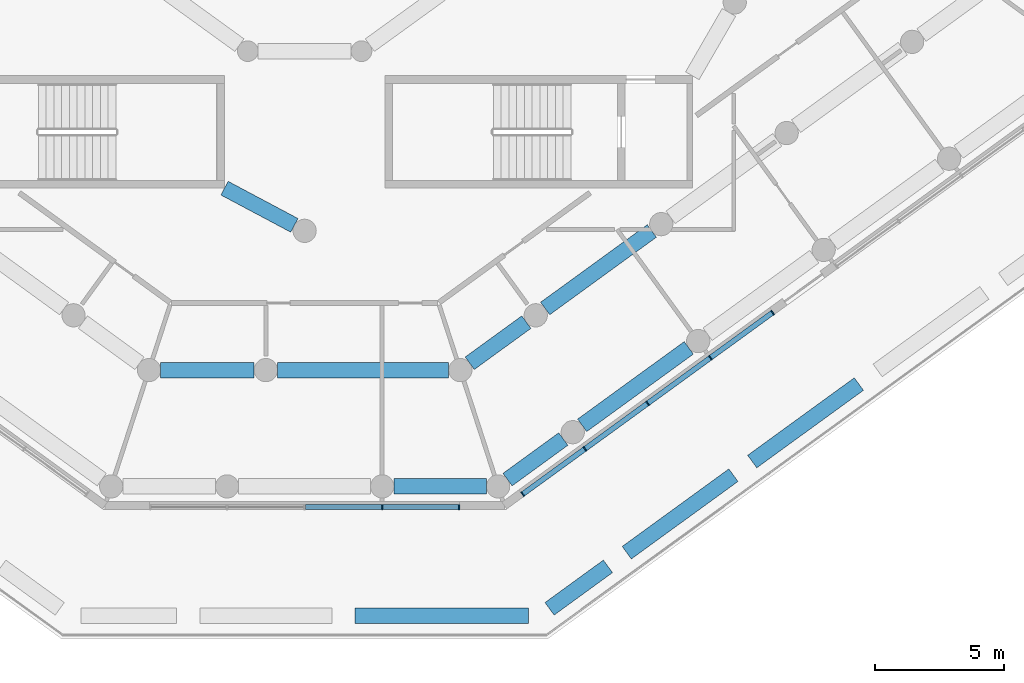
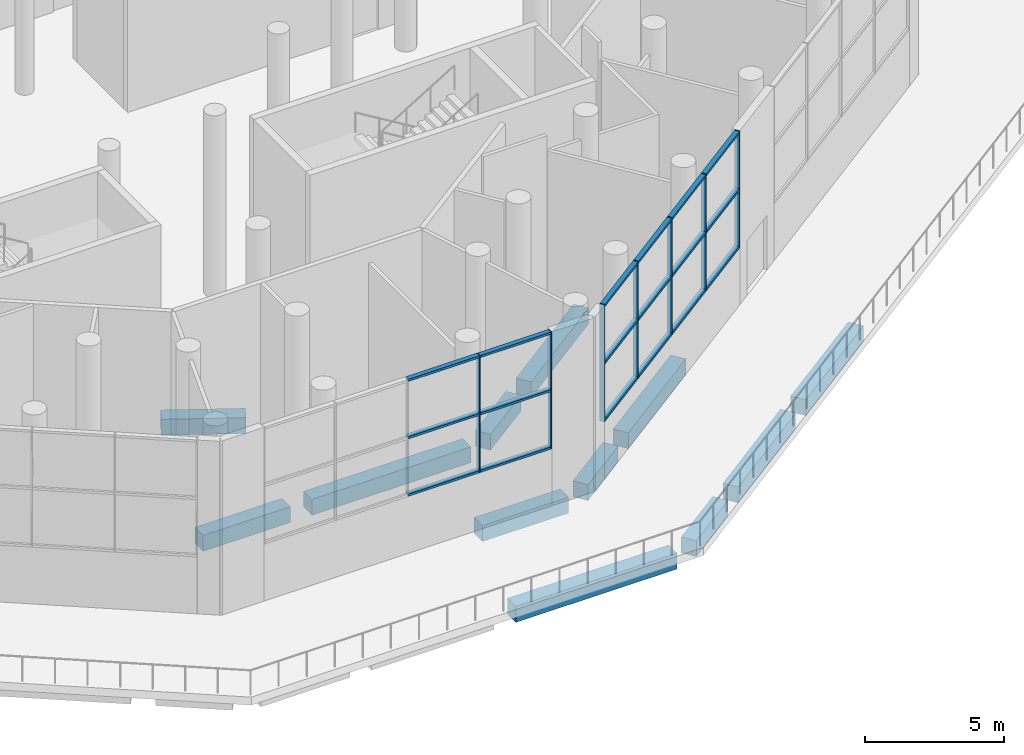
# One storey, part 5 of 23: 25 members, 12 beams, 2 elements without a shape of their own.
"""IFC4 building model written with IfcOpenShell, lengths in metres."""

from ifc_helpers import new_model, si_unit, direction, frame, origin, origin_2d, place, context, subcontext, project, spatial, rectangle, extrude, material, material_profile, profile_set, type_object, element, aggregate, save


model = new_model("IFC4")

# Units and contexts
model_context = context("Model", 3, precision=1e-05, world=origin(), true_north=direction((0.0, 1.0)))
body_context = subcontext(model_context, "Body", "Model", "MODEL_VIEW")
ifc_project = project(units=[si_unit("LENGTHUNIT", "METRE"), si_unit("AREAUNIT", "SQUARE_METRE"), si_unit("VOLUMEUNIT", "CUBIC_METRE"), si_unit("PLANEANGLEUNIT", "RADIAN"), si_unit("MASSUNIT", "GRAM", prefix="KILO")], contexts=[model_context])

# Site, building, storey
site_placement = place(None, origin())
site = spatial("IfcSite", under=ifc_project, at=site_placement, CompositionType="ELEMENT")
building_placement = place(site_placement, origin())
building = spatial("IfcBuilding", under=site, at=building_placement, Name="White Candle Pilgrim Tower", CompositionType="ELEMENT")
storey_placement = place(building_placement, frame((0.0, 0.0, 15.0)))
storey = spatial("IfcBuildingStorey", under=building, at=storey_placement, Name="L02", CompositionType="ELEMENT", Elevation=15.0)

# Curtain wall, members
ifc_material_1 = material(Name="Aluminium and glass", Category="aluminium")
curtain_wall_type = type_object("IfcCurtainWallType", Name="Curtain wall CW2 prayer hall clerestory", PredefinedType="NOTDEFINED", material=ifc_material_1)
curtain_wall_1_placement = place(storey_placement, origin())
curtain_wall_1 = element("IfcCurtainWall", 1, at=curtain_wall_1_placement, inside=storey, type_object=curtain_wall_type, Name="Curtain wall CW2 L02 S chamfer", PredefinedType="NOTDEFINED")
ifc_material_2 = material(Name="Aluminium", Category="aluminium")
ifc_material_profile_1 = material_profile(ifc_material_2, rectangle(XDim=0.199951171875, YDim=0.050048828125, at=origin_2d()), Name="CW2 mullion 50x200")
ifc_profile_set_1 = profile_set([ifc_material_profile_1], Name="Aluminium")
member_type_1 = type_object("IfcMemberType", Name="CW2 mullion 50x200", PredefinedType="MULLION", material=ifc_profile_set_1)
member_1_placement = place(storey_placement, frame((73.0, 28.961181640625, 2.5), z_axis=(0.0, 0.0, 1.0), x_axis=(0.0, 1.0, 0.0)))
member_1 = element("IfcMember", 2, at=member_1_placement, type_object=member_type_1, Name="CW2 mullion 4", PredefinedType="MULLION", context=body_context, shape_type="SweptSolid", body=[
    extrude(rectangle(XDim=0.199951171875, YDim=0.050048828125, at=origin_2d()), origin(), (0.0, 0.0, 1.0), 5.14990234375),
])
member_2_placement = place(storey_placement, frame((75.97509765625, 28.961181640625, 2.5), z_axis=(0.0, 0.0, 1.0), x_axis=(0.0, 1.0, 0.0)))
member_2 = element("IfcMember", 3, at=member_2_placement, type_object=member_type_1, Name="CW2 mullion 5", PredefinedType="MULLION", context=body_context, shape_type="SweptSolid", body=[
    extrude(rectangle(XDim=0.199951171875, YDim=0.050048828125, at=origin_2d()), origin(), (0.0, 0.0, 1.0), 5.14990234375),
])

curtain_wall_2_placement = place(storey_placement, origin())
curtain_wall_2 = element("IfcCurtainWall", 4, at=curtain_wall_2_placement, inside=storey, type_object=curtain_wall_type, Name="Curtain wall CW2 L02 SE", PredefinedType="NOTDEFINED")
member_3_placement = place(storey_placement, frame((78.4365234375, 29.462890625, 2.5), z_axis=(0.0, 0.0, 1.0), x_axis=(-0.587785249398, 0.809016996478, 0.0)))
member_3 = element("IfcMember", 5, at=member_3_placement, type_object=member_type_1, Name="CW2 mullion 1", PredefinedType="MULLION", context=body_context, shape_type="SweptSolid", body=[
    extrude(rectangle(XDim=0.199951171875, YDim=0.050048828125, at=origin_2d()), origin(), (0.0, 0.0, 1.0), 5.14990234375),
])
member_4_placement = place(storey_placement, frame((80.843505859375, 31.211669921875, 2.5), z_axis=(0.0, 0.0, 1.0), x_axis=(-0.587785249398, 0.809016996478, 0.0)))
member_4 = element("IfcMember", 6, at=member_4_placement, type_object=member_type_1, Name="CW2 mullion 2", PredefinedType="MULLION", context=body_context, shape_type="SweptSolid", body=[
    extrude(rectangle(XDim=0.199951171875, YDim=0.050048828125, at=origin_2d()), origin(), (0.0, 0.0, 1.0), 5.14990234375),
])
member_5_placement = place(storey_placement, frame((83.2705078125, 32.974853515625, 2.5), z_axis=(0.0, 0.0, 1.0), x_axis=(-0.587785249398, 0.809016996478, 0.0)))
member_5 = element("IfcMember", 7, at=member_5_placement, type_object=member_type_1, Name="CW2 mullion 3", PredefinedType="MULLION", context=body_context, shape_type="SweptSolid", body=[
    extrude(rectangle(XDim=0.199951171875, YDim=0.050048828125, at=origin_2d()), origin(), (0.0, 0.0, 1.0), 5.14990234375),
])
member_6_placement = place(storey_placement, frame((85.697509765625, 34.73828125, 2.5), z_axis=(0.0, 0.0, 1.0), x_axis=(-0.587785249398, 0.809016996478, 0.0)))
member_6 = element("IfcMember", 8, at=member_6_placement, type_object=member_type_1, Name="CW2 mullion 4", PredefinedType="MULLION", context=body_context, shape_type="SweptSolid", body=[
    extrude(rectangle(XDim=0.199951171875, YDim=0.050048828125, at=origin_2d()), origin(), (0.0, 0.0, 1.0), 5.14990234375),
])
member_7_placement = place(storey_placement, frame((88.1044921875, 36.487060546875, 2.5), z_axis=(0.0, 0.0, 1.0), x_axis=(-0.587785249398, 0.809016996478, 0.0)))
member_7 = element("IfcMember", 9, at=member_7_placement, type_object=member_type_1, Name="CW2 mullion 5", PredefinedType="MULLION", context=body_context, shape_type="SweptSolid", body=[
    extrude(rectangle(XDim=0.199951171875, YDim=0.050048828125, at=origin_2d()), origin(), (0.0, 0.0, 1.0), 5.14990234375),
])

# Member
ifc_material_profile_2 = material_profile(ifc_material_2, rectangle(XDim=0.199951171875, YDim=0.10009765625, at=origin_2d()), Name="CW2 transom 100x200")
ifc_profile_set_2 = profile_set([ifc_material_profile_2], Name="Aluminium")
member_type_2 = type_object("IfcMemberType", Name="CW2 transom 100x200", PredefinedType="USERDEFINED", material=ifc_profile_set_2)
member_8_placement = place(storey_placement, frame((70.02490234375, 28.961181640625, 2.550048828125), z_axis=(1.0, 0.0, 0.0), x_axis=(0.0, 1.0, 0.0)))
member_8 = element("IfcMember", 10, at=member_8_placement, type_object=member_type_2, Name="CW2 transom 3.1", ObjectType="TRANSOM", PredefinedType="USERDEFINED", context=body_context, shape_type="SweptSolid", body=[
    extrude(rectangle(XDim=0.199951171875, YDim=0.10009765625, at=origin_2d()), origin(), (0.0, 0.0, 1.0), 2.9501953125),
])

member_9_placement = place(storey_placement, frame((70.02490234375, 28.961181640625, 5.074951171875), z_axis=(1.0, 0.0, 0.0), x_axis=(0.0, 1.0, 0.0)))
member_9 = element("IfcMember", 11, at=member_9_placement, type_object=member_type_2, Name="CW2 transom 3.2", ObjectType="TRANSOM", PredefinedType="USERDEFINED", context=body_context, shape_type="SweptSolid", body=[
    extrude(rectangle(XDim=0.199951171875, YDim=0.10009765625, at=origin_2d()), origin(), (0.0, 0.0, 1.0), 2.9501953125),
])

member_10_placement = place(storey_placement, frame((70.02490234375, 28.961181640625, 7.60009765625), z_axis=(1.0, 0.0, 0.0), x_axis=(0.0, 1.0, 0.0)))
member_10 = element("IfcMember", 12, at=member_10_placement, type_object=member_type_2, Name="CW2 transom 3.3", ObjectType="TRANSOM", PredefinedType="USERDEFINED", context=body_context, shape_type="SweptSolid", body=[
    extrude(rectangle(XDim=0.199951171875, YDim=0.10009765625, at=origin_2d()), origin(), (0.0, 0.0, 1.0), 2.9501953125),
])

member_11_placement = place(storey_placement, frame((73.02490234375, 28.961181640625, 2.550048828125), z_axis=(1.0, 0.0, 0.0), x_axis=(0.0, 1.0, 0.0)))
member_11 = element("IfcMember", 13, at=member_11_placement, type_object=member_type_2, Name="CW2 transom 4.1", ObjectType="TRANSOM", PredefinedType="USERDEFINED", context=body_context, shape_type="SweptSolid", body=[
    extrude(rectangle(XDim=0.199951171875, YDim=0.10009765625, at=origin_2d()), origin(), (0.0, 0.0, 1.0), 2.925048828125),
])

member_12_placement = place(storey_placement, frame((73.02490234375, 28.961181640625, 5.074951171875), z_axis=(1.0, 0.0, 0.0), x_axis=(0.0, 1.0, 0.0)))
member_12 = element("IfcMember", 14, at=member_12_placement, type_object=member_type_2, Name="CW2 transom 4.2", ObjectType="TRANSOM", PredefinedType="USERDEFINED", context=body_context, shape_type="SweptSolid", body=[
    extrude(rectangle(XDim=0.199951171875, YDim=0.10009765625, at=origin_2d()), origin(), (0.0, 0.0, 1.0), 2.925048828125),
])

member_13_placement = place(storey_placement, frame((73.02490234375, 28.961181640625, 7.60009765625), z_axis=(1.0, 0.0, 0.0), x_axis=(0.0, 1.0, 0.0)))
member_13 = element("IfcMember", 15, at=member_13_placement, type_object=member_type_2, Name="CW2 transom 4.3", ObjectType="TRANSOM", PredefinedType="USERDEFINED", context=body_context, shape_type="SweptSolid", body=[
    extrude(rectangle(XDim=0.199951171875, YDim=0.10009765625, at=origin_2d()), origin(), (0.0, 0.0, 1.0), 2.925048828125),
])

aggregate(curtain_wall_1, [member_1, member_2, member_8, member_9, member_10, member_11, member_12, member_13])

member_14_placement = place(storey_placement, frame((78.456787109375, 29.4775390625, 2.550048828125), z_axis=(0.808992256893, 0.587819299009, 0.0), x_axis=(-0.587819299009, 0.808992256893, 0.0)))
member_14 = element("IfcMember", 16, at=member_14_placement, type_object=member_type_2, Name="CW2 transom 1.1", ObjectType="TRANSOM", PredefinedType="USERDEFINED", context=body_context, shape_type="SweptSolid", body=[
    extrude(rectangle(XDim=0.199951171875, YDim=0.10009765625, at=origin_2d()), origin(), (0.0, 0.0, 1.0), 2.92529296875),
])

member_15_placement = place(storey_placement, frame((78.456787109375, 29.4775390625, 5.074951171875), z_axis=(0.808992256893, 0.587819299009, 0.0), x_axis=(-0.587819299009, 0.808992256893, 0.0)))
member_15 = element("IfcMember", 17, at=member_15_placement, type_object=member_type_2, Name="CW2 transom 1.2", ObjectType="TRANSOM", PredefinedType="USERDEFINED", context=body_context, shape_type="SweptSolid", body=[
    extrude(rectangle(XDim=0.199951171875, YDim=0.10009765625, at=origin_2d()), origin(), (0.0, 0.0, 1.0), 2.92529296875),
])

member_16_placement = place(storey_placement, frame((78.456787109375, 29.4775390625, 7.60009765625), z_axis=(0.808992256893, 0.587819299009, 0.0), x_axis=(-0.587819299009, 0.808992256893, 0.0)))
member_16 = element("IfcMember", 18, at=member_16_placement, type_object=member_type_2, Name="CW2 transom 1.3", ObjectType="TRANSOM", PredefinedType="USERDEFINED", context=body_context, shape_type="SweptSolid", body=[
    extrude(rectangle(XDim=0.199951171875, YDim=0.10009765625, at=origin_2d()), origin(), (0.0, 0.0, 1.0), 2.92529296875),
])

member_17_placement = place(storey_placement, frame((80.86376953125, 31.226318359375, 2.550048828125), z_axis=(0.809015152931, 0.587787786815, 0.0), x_axis=(-0.587787786815, 0.809015152931, 0.0)))
member_17 = element("IfcMember", 19, at=member_17_placement, type_object=member_type_2, Name="CW2 transom 2.1", ObjectType="TRANSOM", PredefinedType="USERDEFINED", context=body_context, shape_type="SweptSolid", body=[
    extrude(rectangle(XDim=0.199951171875, YDim=0.10009765625, at=origin_2d()), origin(), (0.0, 0.0, 1.0), 2.949951171875),
])

member_18_placement = place(storey_placement, frame((80.86376953125, 31.226318359375, 5.074951171875), z_axis=(0.809015152931, 0.587787786815, 0.0), x_axis=(-0.587787786815, 0.809015152931, 0.0)))
member_18 = element("IfcMember", 20, at=member_18_placement, type_object=member_type_2, Name="CW2 transom 2.2", ObjectType="TRANSOM", PredefinedType="USERDEFINED", context=body_context, shape_type="SweptSolid", body=[
    extrude(rectangle(XDim=0.199951171875, YDim=0.10009765625, at=origin_2d()), origin(), (0.0, 0.0, 1.0), 2.949951171875),
])

member_19_placement = place(storey_placement, frame((80.86376953125, 31.226318359375, 7.60009765625), z_axis=(0.809015152931, 0.587787786815, 0.0), x_axis=(-0.587787786815, 0.809015152931, 0.0)))
member_19 = element("IfcMember", 21, at=member_19_placement, type_object=member_type_2, Name="CW2 transom 2.3", ObjectType="TRANSOM", PredefinedType="USERDEFINED", context=body_context, shape_type="SweptSolid", body=[
    extrude(rectangle(XDim=0.199951171875, YDim=0.10009765625, at=origin_2d()), origin(), (0.0, 0.0, 1.0), 2.949951171875),
])

member_20_placement = place(storey_placement, frame((83.290771484375, 32.98974609375, 2.550048828125), z_axis=(0.809015152931, 0.587787786815, 0.0), x_axis=(-0.587787786815, 0.809015152931, 0.0)))
member_20 = element("IfcMember", 22, at=member_20_placement, type_object=member_type_2, Name="CW2 transom 3.1", ObjectType="TRANSOM", PredefinedType="USERDEFINED", context=body_context, shape_type="SweptSolid", body=[
    extrude(rectangle(XDim=0.199951171875, YDim=0.10009765625, at=origin_2d()), origin(), (0.0, 0.0, 1.0), 2.949951171875),
])

member_21_placement = place(storey_placement, frame((83.290771484375, 32.98974609375, 5.074951171875), z_axis=(0.809015152931, 0.587787786815, 0.0), x_axis=(-0.587787786815, 0.809015152931, 0.0)))
member_21 = element("IfcMember", 23, at=member_21_placement, type_object=member_type_2, Name="CW2 transom 3.2", ObjectType="TRANSOM", PredefinedType="USERDEFINED", context=body_context, shape_type="SweptSolid", body=[
    extrude(rectangle(XDim=0.199951171875, YDim=0.10009765625, at=origin_2d()), origin(), (0.0, 0.0, 1.0), 2.949951171875),
])

member_22_placement = place(storey_placement, frame((83.290771484375, 32.98974609375, 7.60009765625), z_axis=(0.809015152931, 0.587787786815, 0.0), x_axis=(-0.587787786815, 0.809015152931, 0.0)))
member_22 = element("IfcMember", 24, at=member_22_placement, type_object=member_type_2, Name="CW2 transom 3.3", ObjectType="TRANSOM", PredefinedType="USERDEFINED", context=body_context, shape_type="SweptSolid", body=[
    extrude(rectangle(XDim=0.199951171875, YDim=0.10009765625, at=origin_2d()), origin(), (0.0, 0.0, 1.0), 2.949951171875),
])

member_23_placement = place(storey_placement, frame((85.7177734375, 34.7529296875, 2.550048828125), z_axis=(0.80903194638, 0.587764672073, 0.0), x_axis=(-0.587764672073, 0.80903194638, 0.0)))
member_23 = element("IfcMember", 25, at=member_23_placement, type_object=member_type_2, Name="CW2 transom 4.1", ObjectType="TRANSOM", PredefinedType="USERDEFINED", context=body_context, shape_type="SweptSolid", body=[
    extrude(rectangle(XDim=0.199951171875, YDim=0.10009765625, at=origin_2d()), origin(), (0.0, 0.0, 1.0), 2.925048828125),
])

member_24_placement = place(storey_placement, frame((85.7177734375, 34.7529296875, 5.074951171875), z_axis=(0.80903194638, 0.587764672073, 0.0), x_axis=(-0.587764672073, 0.80903194638, 0.0)))
member_24 = element("IfcMember", 26, at=member_24_placement, type_object=member_type_2, Name="CW2 transom 4.2", ObjectType="TRANSOM", PredefinedType="USERDEFINED", context=body_context, shape_type="SweptSolid", body=[
    extrude(rectangle(XDim=0.199951171875, YDim=0.10009765625, at=origin_2d()), origin(), (0.0, 0.0, 1.0), 2.925048828125),
])

member_25_placement = place(storey_placement, frame((85.7177734375, 34.7529296875, 7.60009765625), z_axis=(0.80903194638, 0.587764672073, 0.0), x_axis=(-0.587764672073, 0.80903194638, 0.0)))
member_25 = element("IfcMember", 27, at=member_25_placement, type_object=member_type_2, Name="CW2 transom 4.3", ObjectType="TRANSOM", PredefinedType="USERDEFINED", context=body_context, shape_type="SweptSolid", body=[
    extrude(rectangle(XDim=0.199951171875, YDim=0.10009765625, at=origin_2d()), origin(), (0.0, 0.0, 1.0), 2.925048828125),
])

aggregate(curtain_wall_2, [member_3, member_4, member_5, member_6, member_7, member_14, member_15, member_16, member_17, member_18, member_19, member_20, member_21, member_22, member_23, member_24, member_25])

# Beams
ifc_material_3 = material(Name="Concrete C50/60", Category="concrete")
ifc_material_profile_3 = material_profile(ifc_material_3, rectangle(XDim=0.60009765625, YDim=0.699951171875, at=origin_2d()), Name="RC-BM 600x700")
ifc_profile_set_3 = profile_set([ifc_material_profile_3], Name="Concrete C50/60")
beam_type = type_object("IfcBeamType", Name="Spandrel beam RC-BM 600x700 C50/60", PredefinedType="BEAM", material=ifc_profile_set_3)
beam_1_placement = place(storey_placement, frame((69.60302734375, 39.861328125, -0.699951171875), z_axis=(-0.882752092562, 0.469839060826, 0.0), x_axis=(-0.469839060826, -0.882752092562, 0.0)))
element("IfcBeam", 28, at=beam_1_placement, inside=storey, type_object=beam_type, Name="L02 spandrel beam T04", PredefinedType="BEAM", context=body_context, shape_type="SweptSolid", body=[
    extrude(rectangle(XDim=0.60009765625, YDim=0.699951171875, at=origin_2d()), origin(), (0.0, 0.0, 1.0), 3.062255859375),
])
beam_2_placement = place(storey_placement, frame((71.949951171875, 24.760986328125, -0.699951171875), z_axis=(1.0, 0.0, 0.0), x_axis=(0.0, 1.0, 0.0)))
element("IfcBeam", 29, at=beam_2_placement, inside=storey, type_object=beam_type, Name="L02 spandrel beam A12", PredefinedType="BEAM", context=body_context, shape_type="SweptSolid", body=[
    extrude(rectangle(XDim=0.60009765625, YDim=0.699951171875, at=origin_2d()), origin(), (0.0, 0.0, 1.0), 6.7109375),
])
beam_3_placement = place(storey_placement, frame((79.474853515625, 25.025390625, -0.699951171875), z_axis=(0.809030737429, 0.587766336136, 0.0), x_axis=(-0.587766336136, 0.809030737429, 0.0)))
element("IfcBeam", 30, at=beam_3_placement, inside=storey, type_object=beam_type, Name="L02 spandrel beam A13", PredefinedType="BEAM", context=body_context, shape_type="SweptSolid", body=[
    extrude(rectangle(XDim=0.60009765625, YDim=0.699951171875, at=origin_2d()), origin(), (0.0, 0.0, 1.0), 2.793701171875),
])
beam_4_placement = place(storey_placement, frame((82.462890625, 27.1962890625, -0.699951171875), z_axis=(0.808978190317, 0.587838657789, 0.0), x_axis=(-0.587838657789, 0.808978190317, 0.0)))
element("IfcBeam", 31, at=beam_4_placement, inside=storey, type_object=beam_type, Name="L02 spandrel beam A14", PredefinedType="BEAM", context=body_context, shape_type="SweptSolid", body=[
    extrude(rectangle(XDim=0.60009765625, YDim=0.699951171875, at=origin_2d()), origin(), (0.0, 0.0, 1.0), 5.1005859375),
])
beam_5_placement = place(storey_placement, frame((87.31689453125, 30.723388671875, -0.699951171875), z_axis=(0.809069240735, 0.587713334625, 0.0), x_axis=(-0.587713334625, 0.809069240735, 0.0)))
element("IfcBeam", 32, at=beam_5_placement, inside=storey, type_object=beam_type, Name="L02 spandrel beam A15", PredefinedType="BEAM", context=body_context, shape_type="SweptSolid", body=[
    extrude(rectangle(XDim=0.60009765625, YDim=0.699951171875, at=origin_2d()), origin(), (0.0, 0.0, 1.0), 5.099853515625),
])
beam_6_placement = place(storey_placement, frame((73.449951171875, 29.760986328125, -0.699951171875), z_axis=(1.0, 0.0, 0.0), x_axis=(0.0, 1.0, 0.0)))
element("IfcBeam", 33, at=beam_6_placement, inside=storey, type_object=beam_type, Name="L02 spandrel beam B10", PredefinedType="BEAM", context=body_context, shape_type="SweptSolid", body=[
    extrude(rectangle(XDim=0.60009765625, YDim=0.699951171875, at=origin_2d()), origin(), (0.0, 0.0, 1.0), 3.5859375),
])
beam_7_placement = place(storey_placement, frame((77.849853515625, 30.025390625, -0.699951171875), z_axis=(0.808985185051, 0.58782903158, 0.0), x_axis=(-0.58782903158, 0.808985185051, 0.0)))
element("IfcBeam", 34, at=beam_7_placement, inside=storey, type_object=beam_type, Name="L02 spandrel beam B11", PredefinedType="BEAM", context=body_context, shape_type="SweptSolid", body=[
    extrude(rectangle(XDim=0.60009765625, YDim=0.699951171875, at=origin_2d()), origin(), (0.0, 0.0, 1.0), 2.669189453125),
])
beam_8_placement = place(storey_placement, frame((80.73681640625, 32.123291015625, -0.699951171875), z_axis=(0.808978190317, 0.587838657789, 0.0), x_axis=(-0.587838657789, 0.808978190317, 0.0)))
element("IfcBeam", 35, at=beam_8_placement, inside=storey, type_object=beam_type, Name="L02 spandrel beam B12", PredefinedType="BEAM", context=body_context, shape_type="SweptSolid", body=[
    extrude(rectangle(XDim=0.60009765625, YDim=0.699951171875, at=origin_2d()), origin(), (0.0, 0.0, 1.0), 5.1005859375),
])
beam_9_placement = place(storey_placement, frame((64.426025390625, 34.260986328125, -0.699951171875), z_axis=(1.0, 0.0, 0.0), x_axis=(0.0, 1.0, 0.0)))
element("IfcBeam", 36, at=beam_9_placement, inside=storey, type_object=beam_type, Name="L02 spandrel beam C07", PredefinedType="BEAM", context=body_context, shape_type="SweptSolid", body=[
    extrude(rectangle(XDim=0.60009765625, YDim=0.699951171875, at=origin_2d()), origin(), (0.0, 0.0, 1.0), 3.6240234375),
])
beam_10_placement = place(storey_placement, frame((68.949951171875, 34.260986328125, -0.699951171875), z_axis=(1.0, 0.0, 0.0), x_axis=(0.0, 1.0, 0.0)))
element("IfcBeam", 37, at=beam_10_placement, inside=storey, type_object=beam_type, Name="L02 spandrel beam C08", PredefinedType="BEAM", context=body_context, shape_type="SweptSolid", body=[
    extrude(rectangle(XDim=0.60009765625, YDim=0.699951171875, at=origin_2d()), origin(), (0.0, 0.0, 1.0), 6.6240234375),
])
beam_11_placement = place(storey_placement, frame((76.387939453125, 34.525390625, -0.699951171875), z_axis=(0.809008975915, 0.587796288598, 0.0), x_axis=(-0.587796288598, 0.809008975915, 0.0)))
element("IfcBeam", 38, at=beam_11_placement, inside=storey, type_object=beam_type, Name="L02 spandrel beam C09", PredefinedType="BEAM", context=body_context, shape_type="SweptSolid", body=[
    extrude(rectangle(XDim=0.60009765625, YDim=0.699951171875, at=origin_2d()), origin(), (0.0, 0.0, 1.0), 2.707275390625),
])
beam_12_placement = place(storey_placement, frame((79.305908203125, 36.6455078125, -0.699951171875), z_axis=(0.80900095282, 0.587807330965, 0.0), x_axis=(-0.587807330965, 0.80900095282, 0.0)))
element("IfcBeam", 39, at=beam_12_placement, inside=storey, type_object=beam_type, Name="L02 spandrel beam C10", PredefinedType="BEAM", context=body_context, shape_type="SweptSolid", body=[
    extrude(rectangle(XDim=0.60009765625, YDim=0.699951171875, at=origin_2d()), origin(), (0.0, 0.0, 1.0), 5.100341796875),
])

save(model, "model.ifc")
